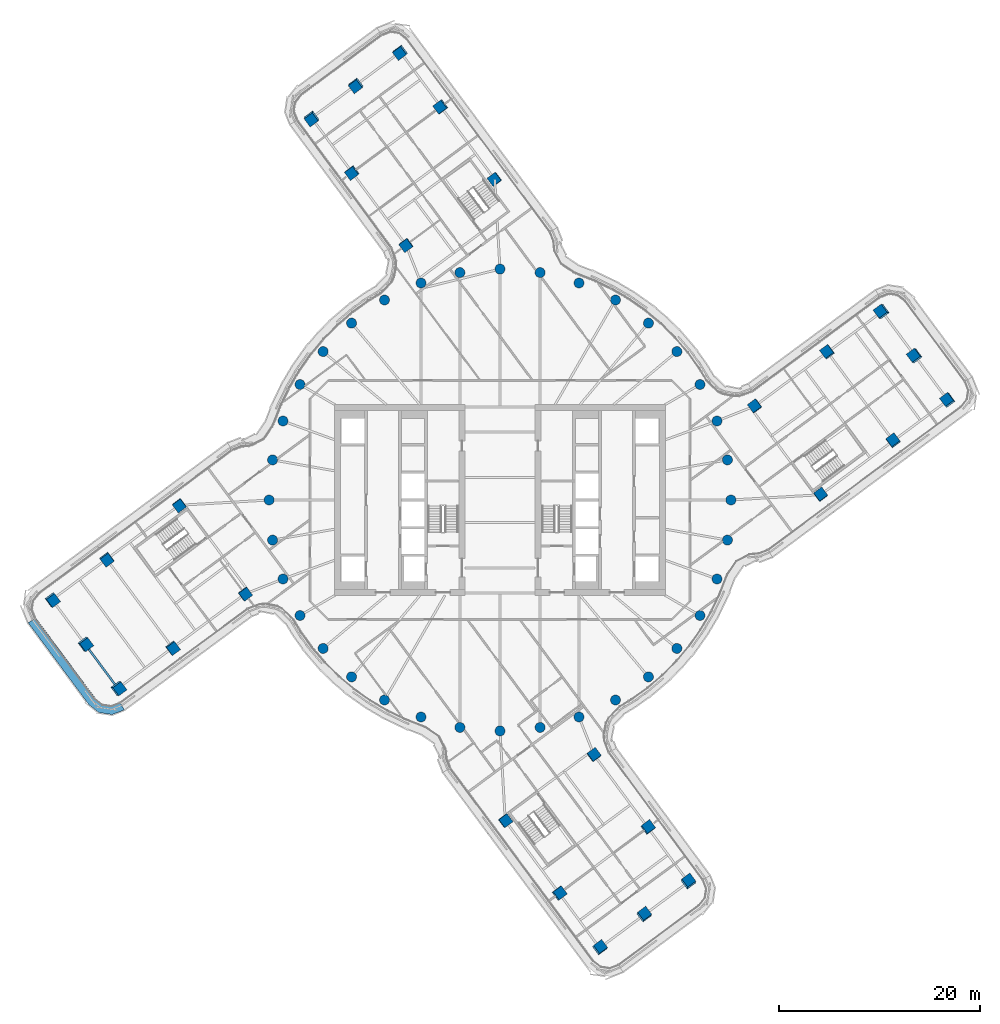
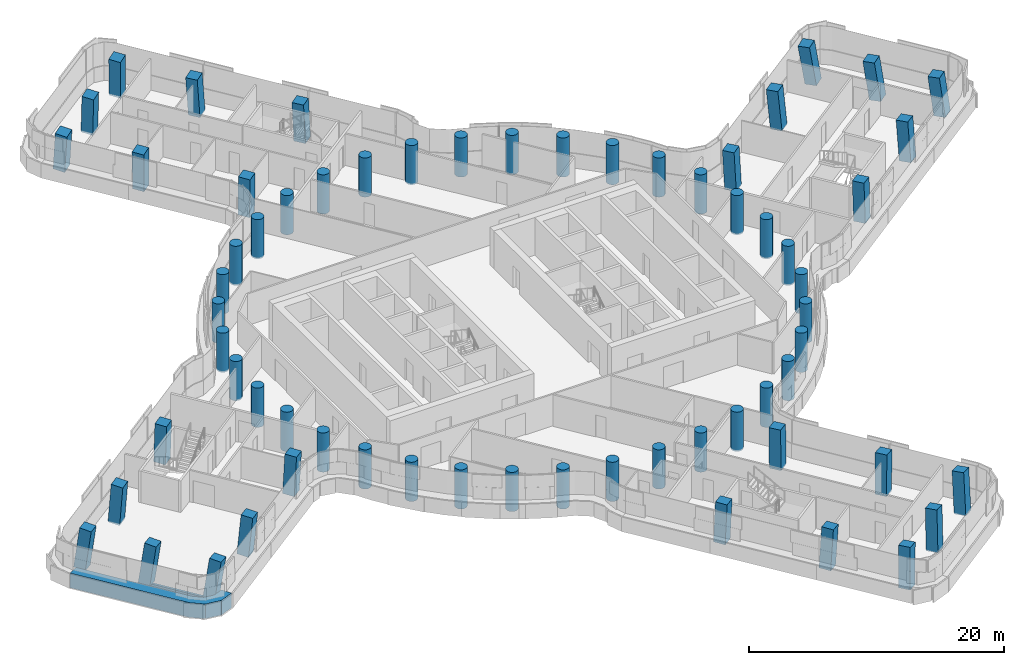
# One storey, part 1 of 32: 64 columns, 1 beam, 1 member, 1 element without a shape of its own.
"""IFC4 building model written with IfcOpenShell, lengths in metres."""

from ifc_helpers import new_model, si_unit, direction, frame, origin, origin_2d, place, context, subcontext, project, spatial, polyline, rectangle, circle, i_section, outline, extrude, material, layer, layer_set, material_profile, profile_set, type_object, element, aggregate, save


model = new_model("IFC4")

# Units and contexts
model_context = context("Model", 3, precision=1e-05, world=origin(), true_north=direction((0.0, 1.0)))
body_context = subcontext(model_context, "Body", "Model", "MODEL_VIEW")
ifc_project = project(units=[si_unit("LENGTHUNIT", "METRE"), si_unit("AREAUNIT", "SQUARE_METRE"), si_unit("VOLUMEUNIT", "CUBIC_METRE"), si_unit("PLANEANGLEUNIT", "RADIAN"), si_unit("MASSUNIT", "GRAM", prefix="KILO")], contexts=[model_context])

# Site, building, storey
site_placement = place(None, origin())
site = spatial("IfcSite", under=ifc_project, at=site_placement, CompositionType="ELEMENT")
building_placement = place(site_placement, origin())
building = spatial("IfcBuilding", under=site, at=building_placement, Name="Tamarind Cross Interchange Tower", CompositionType="ELEMENT")
storey_placement = place(building_placement, frame((0.0, 0.0, 166.75)))
storey = spatial("IfcBuildingStorey", under=building, at=storey_placement, Name="L41", CompositionType="ELEMENT", Elevation=166.75)

# Columns
ifc_material_1 = material(Name="Concrete C60", Category="concrete")
ifc_material_profile_1 = material_profile(ifc_material_1, rectangle(XDim=1.0, YDim=1.0, at=origin_2d()), Name="RC 1000x1000")
ifc_profile_set_1 = profile_set([ifc_material_profile_1], Name="Concrete C60")
column_type_1 = type_object("IfcColumnType", Name="Column RC 1000x1000 Concrete C60", PredefinedType="COLUMN", material=ifc_profile_set_1)
for number, where, z_axis, x_axis, name in (
    (1, (32.61767578125, 14.724365234375, -0.138427734375), (-0.07178713672, 0.050757270267, 0.996127655733), (0.592923881323, -0.80091344235, 0.083539983362), "Column L41-036"),
    (2, (39.171142578125, 5.8896484375, -0.138427734375), (-0.029272936147, 0.082950803539, 0.996123616526), (-0.803698971003, -0.594472786632, 0.025885709611), "Column L41-037"),
):
    element("IfcColumn", number, at=place(storey_placement, frame(where, z_axis=z_axis, x_axis=x_axis)), inside=storey, type_object=column_type_1, Name=name, PredefinedType="COLUMN", context=body_context, shape_type="SweptSolid", body=[
        extrude(rectangle(XDim=1.0, YDim=1.0, at=origin_2d()), origin(), (0.0, 0.0, 1.0), 3.761474609375),
    ])
for number, where, z_axis, x_axis, name in (
    (3, (25.389404296875, 9.3623046875, -0.138671875), (-0.045617277899, 0.016073420315, 0.998829669722), (0.594427631034, -0.803150042822, 0.040072436636), "Column L41-038"),
    (4, (31.94287109375, 0.527587890625, -0.138671875), (-0.002993428793, 0.048285307918, 0.998829098707), (-0.803319154531, -0.594965367607, 0.026354265532), "Column L41-039"),
):
    element("IfcColumn", number, at=place(storey_placement, frame(where, z_axis=z_axis, x_axis=x_axis)), inside=storey, type_object=column_type_1, Name=name, PredefinedType="COLUMN", context=body_context, shape_type="SweptSolid", body=[
        extrude(rectangle(XDim=1.0, YDim=1.0, at=origin_2d()), origin(), (0.0, 0.0, 1.0), 3.751708984375),
    ])
column_1_placement = place(storey_placement, frame((44.611328125, 9.92529296875, -0.137939453125), z_axis=(-0.105347885632, 0.065122971658, 0.99230077172), x_axis=(0.58972845887, -0.79936185509, 0.115069411338)))
element("IfcColumn", 5, at=column_1_placement, inside=storey, type_object=column_type_1, Name="Column L41-040", PredefinedType="COLUMN", context=body_context, shape_type="SweptSolid", body=[
    extrude(rectangle(XDim=1.0, YDim=1.0, at=origin_2d()), origin(), (0.0, 0.0, 1.0), 3.775146484375),
])
column_2_placement = place(storey_placement, frame((41.33447265625, 14.342529296875, -0.137939453125), z_axis=(-0.126372496454, 0.049076697652, 0.99076812115), x_axis=(0.588478808731, -0.800334695839, 0.114704255851)))
element("IfcColumn", 6, at=column_2_placement, inside=storey, type_object=column_type_1, Name="Column L41-041", PredefinedType="COLUMN", context=body_context, shape_type="SweptSolid", body=[
    extrude(rectangle(XDim=1.0, YDim=1.0, at=origin_2d()), origin(), (0.0, 0.0, 1.0), 3.78076171875),
])
column_3_placement = place(storey_placement, frame((38.0576171875, 18.760009765625, -0.1376953125), z_axis=(-0.147169419747, 0.032990693043, 0.98856096224), x_axis=(0.587440525711, -0.801170466848, 0.114190681772)))
element("IfcColumn", 7, at=column_3_placement, inside=storey, type_object=column_type_1, Name="Column L41-042", PredefinedType="COLUMN", context=body_context, shape_type="SweptSolid", body=[
    extrude(rectangle(XDim=1.0, YDim=1.0, at=origin_2d()), origin(), (0.0, 0.0, 1.0), 3.7890625),
])
for number, where, z_axis, x_axis, name in (
    (8, (-14.724365234375, 32.61767578125, -0.138427734375), (-0.050757270267, -0.07178713672, 0.996127655733), (0.80091344235, 0.592923881323, 0.083539983362), "Column L41-043"),
    (9, (-5.8896484375, 39.171142578125, -0.138427734375), (-0.082950803539, -0.029272936147, 0.996123616526), (0.594472786632, -0.803698971003, 0.025885709611), "Column L41-044"),
):
    element("IfcColumn", number, at=place(storey_placement, frame(where, z_axis=z_axis, x_axis=x_axis)), inside=storey, type_object=column_type_1, Name=name, PredefinedType="COLUMN", context=body_context, shape_type="SweptSolid", body=[
        extrude(rectangle(XDim=1.0, YDim=1.0, at=origin_2d()), origin(), (0.0, 0.0, 1.0), 3.761474609375),
    ])
for number, where, z_axis, x_axis, name in (
    (10, (-9.3623046875, 25.389404296875, -0.138671875), (-0.016073420315, -0.045617277899, 0.998829669722), (0.803150042822, 0.594427631034, 0.040072436636), "Column L41-045"),
    (11, (-0.527587890625, 31.94287109375, -0.138671875), (-0.048285307918, -0.002993428793, 0.998829098707), (0.594965367607, -0.803319154531, 0.026354265532), "Column L41-046"),
):
    element("IfcColumn", number, at=place(storey_placement, frame(where, z_axis=z_axis, x_axis=x_axis)), inside=storey, type_object=column_type_1, Name=name, PredefinedType="COLUMN", context=body_context, shape_type="SweptSolid", body=[
        extrude(rectangle(XDim=1.0, YDim=1.0, at=origin_2d()), origin(), (0.0, 0.0, 1.0), 3.751708984375),
    ])
column_4_placement = place(storey_placement, frame((-9.92529296875, 44.611328125, -0.137939453125), z_axis=(-0.065122971658, -0.105347885632, 0.99230077172), x_axis=(0.79936185509, 0.58972845887, 0.115069411338)))
element("IfcColumn", 12, at=column_4_placement, inside=storey, type_object=column_type_1, Name="Column L41-047", PredefinedType="COLUMN", context=body_context, shape_type="SweptSolid", body=[
    extrude(rectangle(XDim=1.0, YDim=1.0, at=origin_2d()), origin(), (0.0, 0.0, 1.0), 3.775146484375),
])
column_5_placement = place(storey_placement, frame((-14.342529296875, 41.33447265625, -0.137939453125), z_axis=(-0.049076697652, -0.126372496454, 0.99076812115), x_axis=(0.800334695839, 0.588478808731, 0.114704255851)))
element("IfcColumn", 13, at=column_5_placement, inside=storey, type_object=column_type_1, Name="Column L41-048", PredefinedType="COLUMN", context=body_context, shape_type="SweptSolid", body=[
    extrude(rectangle(XDim=1.0, YDim=1.0, at=origin_2d()), origin(), (0.0, 0.0, 1.0), 3.78076171875),
])
column_6_placement = place(storey_placement, frame((-18.760009765625, 38.0576171875, -0.1376953125), z_axis=(-0.032990693043, -0.147169419747, 0.98856096224), x_axis=(0.801170466848, 0.587440525711, 0.114190681772)))
element("IfcColumn", 14, at=column_6_placement, inside=storey, type_object=column_type_1, Name="Column L41-049", PredefinedType="COLUMN", context=body_context, shape_type="SweptSolid", body=[
    extrude(rectangle(XDim=1.0, YDim=1.0, at=origin_2d()), origin(), (0.0, 0.0, 1.0), 3.7890625),
])
for number, where, z_axis, x_axis, name in (
    (15, (-32.61767578125, -14.724365234375, -0.138427734375), (0.07178713672, -0.050757270267, 0.996127655733), (-0.592923881323, 0.80091344235, 0.083539983362), "Column L41-050"),
    (16, (-39.171142578125, -5.8896484375, -0.138427734375), (0.029272936147, -0.082950803539, 0.996123616526), (0.803698971003, 0.594472786632, 0.025885709611), "Column L41-051"),
):
    element("IfcColumn", number, at=place(storey_placement, frame(where, z_axis=z_axis, x_axis=x_axis)), inside=storey, type_object=column_type_1, Name=name, PredefinedType="COLUMN", context=body_context, shape_type="SweptSolid", body=[
        extrude(rectangle(XDim=1.0, YDim=1.0, at=origin_2d()), origin(), (0.0, 0.0, 1.0), 3.761474609375),
    ])
for number, where, z_axis, x_axis, name in (
    (17, (-25.389404296875, -9.3623046875, -0.138671875), (0.045617277899, -0.016073420315, 0.998829669722), (-0.594427631034, 0.803150042822, 0.040072436636), "Column L41-052"),
    (18, (-31.94287109375, -0.527587890625, -0.138671875), (0.002993428793, -0.048285307918, 0.998829098707), (0.803319154531, 0.594965367607, 0.026354265532), "Column L41-053"),
):
    element("IfcColumn", number, at=place(storey_placement, frame(where, z_axis=z_axis, x_axis=x_axis)), inside=storey, type_object=column_type_1, Name=name, PredefinedType="COLUMN", context=body_context, shape_type="SweptSolid", body=[
        extrude(rectangle(XDim=1.0, YDim=1.0, at=origin_2d()), origin(), (0.0, 0.0, 1.0), 3.751708984375),
    ])
column_7_placement = place(storey_placement, frame((-44.611328125, -9.92529296875, -0.137939453125), z_axis=(0.105347885632, -0.065122971658, 0.99230077172), x_axis=(-0.58972845887, 0.79936185509, 0.115069411338)))
element("IfcColumn", 19, at=column_7_placement, inside=storey, type_object=column_type_1, Name="Column L41-054", PredefinedType="COLUMN", context=body_context, shape_type="SweptSolid", body=[
    extrude(rectangle(XDim=1.0, YDim=1.0, at=origin_2d()), origin(), (0.0, 0.0, 1.0), 3.775146484375),
])
column_8_placement = place(storey_placement, frame((-41.33447265625, -14.342529296875, -0.137939453125), z_axis=(0.126372496454, -0.049076697652, 0.99076812115), x_axis=(-0.588478808731, 0.800334695839, 0.114704255851)))
element("IfcColumn", 20, at=column_8_placement, inside=storey, type_object=column_type_1, Name="Column L41-055", PredefinedType="COLUMN", context=body_context, shape_type="SweptSolid", body=[
    extrude(rectangle(XDim=1.0, YDim=1.0, at=origin_2d()), origin(), (0.0, 0.0, 1.0), 3.78076171875),
])
column_9_placement = place(storey_placement, frame((-38.0576171875, -18.760009765625, -0.1376953125), z_axis=(0.147169419747, -0.032990693043, 0.98856096224), x_axis=(-0.587440525711, 0.801170466848, 0.114190681772)))
element("IfcColumn", 21, at=column_9_placement, inside=storey, type_object=column_type_1, Name="Column L41-056", PredefinedType="COLUMN", context=body_context, shape_type="SweptSolid", body=[
    extrude(rectangle(XDim=1.0, YDim=1.0, at=origin_2d()), origin(), (0.0, 0.0, 1.0), 3.7890625),
])
for number, where, z_axis, x_axis, name in (
    (22, (14.724365234375, -32.61767578125, -0.138427734375), (0.050757270267, 0.07178713672, 0.996127655733), (-0.80091344235, -0.592923881323, 0.083539983362), "Column L41-057"),
    (23, (5.8896484375, -39.171142578125, -0.138427734375), (0.082950803539, 0.029272936147, 0.996123616526), (-0.594472786632, 0.803698971003, 0.025885709611), "Column L41-058"),
):
    element("IfcColumn", number, at=place(storey_placement, frame(where, z_axis=z_axis, x_axis=x_axis)), inside=storey, type_object=column_type_1, Name=name, PredefinedType="COLUMN", context=body_context, shape_type="SweptSolid", body=[
        extrude(rectangle(XDim=1.0, YDim=1.0, at=origin_2d()), origin(), (0.0, 0.0, 1.0), 3.761474609375),
    ])
for number, where, z_axis, x_axis, name in (
    (24, (9.3623046875, -25.389404296875, -0.138671875), (0.016073420315, 0.045617277899, 0.998829669722), (-0.803150042822, -0.594427631034, 0.040072436636), "Column L41-059"),
    (25, (0.527587890625, -31.94287109375, -0.138671875), (0.048285307918, 0.002993428793, 0.998829098707), (-0.594965367607, 0.803319154531, 0.026354265532), "Column L41-060"),
):
    element("IfcColumn", number, at=place(storey_placement, frame(where, z_axis=z_axis, x_axis=x_axis)), inside=storey, type_object=column_type_1, Name=name, PredefinedType="COLUMN", context=body_context, shape_type="SweptSolid", body=[
        extrude(rectangle(XDim=1.0, YDim=1.0, at=origin_2d()), origin(), (0.0, 0.0, 1.0), 3.751708984375),
    ])
column_10_placement = place(storey_placement, frame((9.92529296875, -44.611328125, -0.137939453125), z_axis=(0.065122971658, 0.105347885632, 0.99230077172), x_axis=(-0.79936185509, -0.58972845887, 0.115069411338)))
element("IfcColumn", 26, at=column_10_placement, inside=storey, type_object=column_type_1, Name="Column L41-061", PredefinedType="COLUMN", context=body_context, shape_type="SweptSolid", body=[
    extrude(rectangle(XDim=1.0, YDim=1.0, at=origin_2d()), origin(), (0.0, 0.0, 1.0), 3.775146484375),
])
column_11_placement = place(storey_placement, frame((14.342529296875, -41.33447265625, -0.137939453125), z_axis=(0.049076697652, 0.126372496454, 0.99076812115), x_axis=(-0.800334695839, -0.588478808731, 0.114704255851)))
element("IfcColumn", 27, at=column_11_placement, inside=storey, type_object=column_type_1, Name="Column L41-062", PredefinedType="COLUMN", context=body_context, shape_type="SweptSolid", body=[
    extrude(rectangle(XDim=1.0, YDim=1.0, at=origin_2d()), origin(), (0.0, 0.0, 1.0), 3.78076171875),
])
column_12_placement = place(storey_placement, frame((18.760009765625, -38.0576171875, -0.1376953125), z_axis=(0.032990693043, 0.147169419747, 0.98856096224), x_axis=(-0.801170466848, -0.587440525711, 0.114190681772)))
element("IfcColumn", 28, at=column_12_placement, inside=storey, type_object=column_type_1, Name="Column L41-063", PredefinedType="COLUMN", context=body_context, shape_type="SweptSolid", body=[
    extrude(rectangle(XDim=1.0, YDim=1.0, at=origin_2d()), origin(), (0.0, 0.0, 1.0), 3.7890625),
])
ifc_material_profile_2 = material_profile(ifc_material_1, circle(Radius=0.5, at=origin_2d()), Name="RC D1000")
ifc_profile_set_2 = profile_set([ifc_material_profile_2], Name="Concrete C60")
column_type_2 = type_object("IfcColumnType", Name="Column RC D1000 Concrete C60", PredefinedType="COLUMN", material=ifc_profile_set_2)
for number, where, z_axis, x_axis, name in (
    (29, (23.0, 0.0, -0.139892578125), (0.0, 0.0, 1.0), (1.0, 0.0, 0.0), "Column L41-000"),
    (30, (22.650634765625, 3.993896484375, -0.139892578125), (0.0, 0.0, 1.0), (1.0, 0.0, 0.0), "Column L41-001"),
    (31, (21.613037109375, 7.866455078125, -0.139892578125), (0.0, 0.0, 1.0), (1.0, 0.0, 0.0), "Column L41-002"),
    (32, (19.918701171875, 11.5, -0.139892578125), (0.0, 0.0, 1.0), (1.0, 0.0, 0.0), "Column L41-003"),
    (33, (17.619140625, 14.7841796875, -0.139892578125), (0.0, 0.0, 1.0), (1.0, 0.0, 0.0), "Column L41-004"),
    (34, (14.7841796875, 17.619140625, -0.139892578125), (0.0, 0.0, 1.0), (1.0, 0.0, 0.0), "Column L41-005"),
    (35, (11.5, 19.918701171875, -0.139892578125), (0.0, 0.0, 1.0), (1.0, 0.0, 0.0), "Column L41-006"),
    (36, (7.866455078125, 21.613037109375, -0.139892578125), (0.0, 0.0, 1.0), (1.0, 0.0, 0.0), "Column L41-007"),
    (37, (3.993896484375, 22.650634765625, -0.139892578125), (0.0, 0.0, 1.0), (1.0, 0.0, 0.0), "Column L41-008"),
    (38, (0.0, 23.0, -0.139892578125), (0.0, 0.0, 1.0), (1.0, 0.0, 0.0), "Column L41-009"),
    (39, (-3.993896484375, 22.650634765625, -0.139892578125), (0.0, 0.0, 1.0), (1.0, 0.0, 0.0), "Column L41-010"),
    (40, (-7.866455078125, 21.613037109375, -0.139892578125), (0.0, 0.0, 1.0), (1.0, 0.0, 0.0), "Column L41-011"),
    (41, (-11.5, 19.918701171875, -0.139892578125), (0.0, 0.0, 1.0), (1.0, 0.0, 0.0), "Column L41-012"),
    (42, (-14.7841796875, 17.619140625, -0.139892578125), (0.0, 0.0, 1.0), (1.0, 0.0, 0.0), "Column L41-013"),
    (43, (-17.619140625, 14.7841796875, -0.139892578125), (0.0, 0.0, 1.0), (1.0, 0.0, 0.0), "Column L41-014"),
    (44, (-19.918701171875, 11.5, -0.139892578125), (0.0, 0.0, 1.0), (1.0, 0.0, 0.0), "Column L41-015"),
    (45, (-21.613037109375, 7.866455078125, -0.139892578125), (0.0, 0.0, 1.0), (1.0, 0.0, 0.0), "Column L41-016"),
    (46, (-22.650634765625, 3.993896484375, -0.139892578125), (0.0, 0.0, 1.0), (1.0, 0.0, 0.0), "Column L41-017"),
    (47, (-23.0, 0.0, -0.139892578125), (0.0, 0.0, 1.0), (1.0, 0.0, 0.0), "Column L41-018"),
    (48, (-22.650634765625, -3.993896484375, -0.139892578125), (0.0, 0.0, 1.0), (1.0, 0.0, 0.0), "Column L41-019"),
    (49, (-21.613037109375, -7.866455078125, -0.139892578125), (0.0, 0.0, 1.0), (1.0, 0.0, 0.0), "Column L41-020"),
    (50, (-19.918701171875, -11.5, -0.139892578125), (0.0, 0.0, 1.0), (1.0, 0.0, 0.0), "Column L41-021"),
    (51, (-17.619140625, -14.7841796875, -0.139892578125), (0.0, 0.0, 1.0), (1.0, 0.0, 0.0), "Column L41-022"),
    (52, (-14.7841796875, -17.619140625, -0.139892578125), (0.0, 0.0, 1.0), (1.0, 0.0, 0.0), "Column L41-023"),
    (53, (-11.5, -19.918701171875, -0.139892578125), (0.0, 0.0, 1.0), (1.0, 0.0, 0.0), "Column L41-024"),
    (54, (-7.866455078125, -21.613037109375, -0.139892578125), (0.0, 0.0, 1.0), (1.0, 0.0, 0.0), "Column L41-025"),
    (55, (-3.993896484375, -22.650634765625, -0.139892578125), (0.0, 0.0, 1.0), (1.0, 0.0, 0.0), "Column L41-026"),
    (56, (0.0, -23.0, -0.139892578125), (0.0, 0.0, 1.0), (1.0, 0.0, 0.0), "Column L41-027"),
    (57, (3.993896484375, -22.650634765625, -0.139892578125), (0.0, 0.0, 1.0), (1.0, 0.0, 0.0), "Column L41-028"),
    (58, (7.866455078125, -21.613037109375, -0.139892578125), (0.0, 0.0, 1.0), (1.0, 0.0, 0.0), "Column L41-029"),
    (59, (11.5, -19.918701171875, -0.139892578125), (0.0, 0.0, 1.0), (1.0, 0.0, 0.0), "Column L41-030"),
    (60, (14.7841796875, -17.619140625, -0.139892578125), (0.0, 0.0, 1.0), (1.0, 0.0, 0.0), "Column L41-031"),
    (61, (17.619140625, -14.7841796875, -0.139892578125), (0.0, 0.0, 1.0), (1.0, 0.0, 0.0), "Column L41-032"),
    (62, (19.918701171875, -11.5, -0.139892578125), (0.0, 0.0, 1.0), (1.0, 0.0, 0.0), "Column L41-033"),
    (63, (21.613037109375, -7.866455078125, -0.139892578125), (0.0, 0.0, 1.0), (1.0, 0.0, 0.0), "Column L41-034"),
    (64, (22.650634765625, -3.993896484375, -0.139892578125), (0.0, 0.0, 1.0), (1.0, 0.0, 0.0), "Column L41-035"),
):
    element("IfcColumn", number, at=place(storey_placement, frame(where, z_axis=z_axis, x_axis=x_axis)), inside=storey, type_object=column_type_2, Name=name, PredefinedType="COLUMN", context=body_context, shape_type="SweptSolid", body=[
        extrude(circle(Radius=0.5, at=origin_2d()), origin(), (0.0, 0.0, 1.0), 3.75),
    ])

# Beam
ifc_material_2 = material(Name="Steel Q355B", Category="steel")
ifc_material_profile_3 = material_profile(ifc_material_2, i_section(OverallWidth=0.199951171875, OverallDepth=0.60009765625, WebThickness=0.010986328125, FlangeThickness=0.01708984375, FilletRadius=0.012939453125, at=origin_2d()), Name="HN 600x200x11x17")
ifc_profile_set_3 = profile_set([ifc_material_profile_3], Name="Steel Q355B")
beam_type = type_object("IfcBeamType", Name="Composite beam HN 600x200x11x17 Q355B", PredefinedType="BEAM", material=ifc_profile_set_3)
beam_placement = place(storey_placement, frame((-41.334716796875, -14.342529296875, -0.43994140625), z_axis=(0.595794281258, -0.803137083206, 0.0), x_axis=(0.803137083206, 0.595794281258, 0.0)))
element("IfcBeam", 65, at=beam_placement, inside=storey, type_object=beam_type, Name="Beam W-tip1", PredefinedType="BEAM", context=body_context, shape_type="SweptSolid", body=[
    extrude(i_section(OverallWidth=0.199951171875, OverallDepth=0.60009765625, WebThickness=0.010986328125, FlangeThickness=0.01708984375, FilletRadius=0.012939453125, at=origin_2d()), origin(), (0.0, 0.0, 1.0), 5.5),
])

# Curtain wall, member
ifc_material_3 = material(Name="Aluminium 6063-T6", Category="aluminium")
ifc_layer = layer(ifc_material_3, 0.159912109375)
ifc_layer_set = layer_set([ifc_layer], Name="Aluminium 6063-T6")
curtain_wall_type = type_object("IfcCurtainWallType", Name="Office curtain wall, 9.0 m bays", PredefinedType="NOTDEFINED", material=ifc_layer_set)
curtain_wall_placement = place(storey_placement, origin())
curtain_wall = element("IfcCurtainWall", 66, at=curtain_wall_placement, inside=storey, type_object=curtain_wall_type, Name="CWS-L41-08", PredefinedType="NOTDEFINED")
ifc_material_4 = material(Name="Aluminium and insulated spandrel panel", Category="aluminium")
member_type = type_object("IfcMemberType", Name="Floor-edge blade transom", PredefinedType="USERDEFINED", material=ifc_material_4)
member_placement = place(storey_placement, origin())
member = element("IfcMember", 67, at=member_placement, type_object=member_type, Name="CWT-L41-08", ObjectType="TRANSOM", PredefinedType="USERDEFINED", context=body_context, shape_type="SweptSolid", body=[
    extrude(outline(polyline([(-46.20751953125, -11.781005859375), (-40.296875, -19.7490234375), (-39.579833984375, -20.31787109375), (-38.71484375, -20.4462890625), (-37.863037109375, -20.109619140625), (-37.423095703125, -20.9033203125), (-38.608154296875, -21.371826171875), (-39.950439453125, -21.1728515625), (-40.94921875, -20.38037109375), (-47.0009765625, -12.221923828125), (-46.20751953125, -11.781005859375)])), origin(), (0.0, 0.0, 1.0), 1.39990234375),
])
aggregate(curtain_wall, [member])

save(model, "model.ifc")
